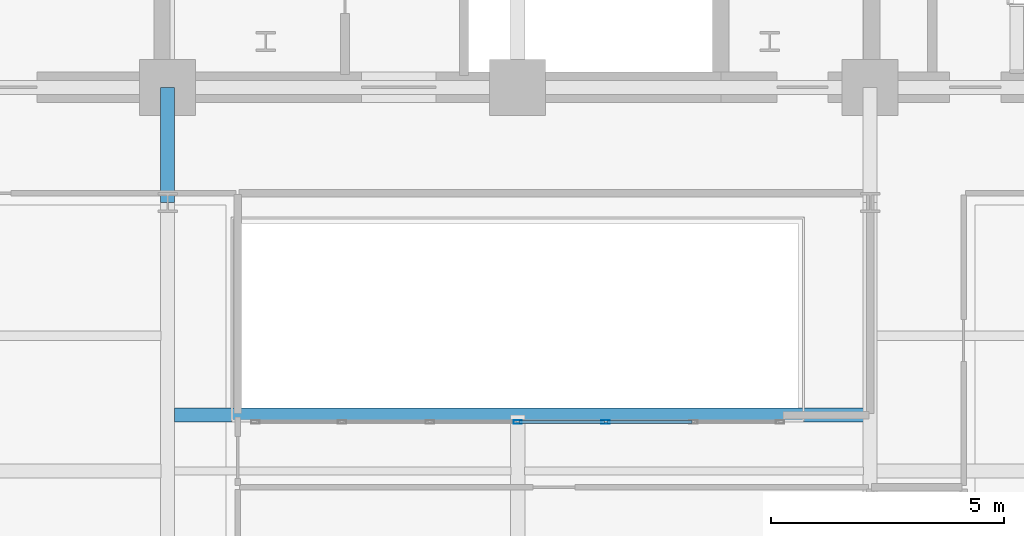
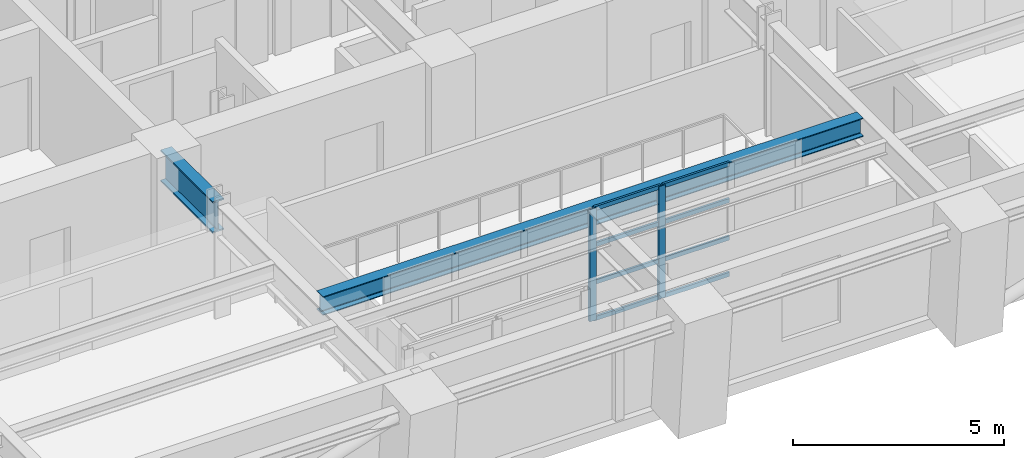
# One storey, part 3 of 15: 10 members, 2 beams, 1 element without a shape of its own.
"""IFC4 building model written with IfcOpenShell, lengths in metres."""

from ifc_helpers import new_model, si_unit, direction, frame, origin, origin_2d, place, context, subcontext, project, spatial, hollow_rectangle, i_section, extrude, material, layer, layer_set, material_profile, profile_set, type_object, element, aggregate, save


model = new_model("IFC4")

# Units and contexts
model_context = context("Model", 3, precision=1e-05, world=origin(), true_north=direction((0.0, 1.0)))
body_context = subcontext(model_context, "Body", "Model", "MODEL_VIEW")
ifc_project = project(units=[si_unit("LENGTHUNIT", "METRE"), si_unit("AREAUNIT", "SQUARE_METRE"), si_unit("VOLUMEUNIT", "CUBIC_METRE"), si_unit("PLANEANGLEUNIT", "RADIAN"), si_unit("MASSUNIT", "GRAM", prefix="KILO")], contexts=[model_context])

# Site, building, storey
site_placement = place(None, origin())
site = spatial("IfcSite", under=ifc_project, at=site_placement, CompositionType="ELEMENT")
building_placement = place(site_placement, origin())
building = spatial("IfcBuilding", under=site, at=building_placement, Name="Zarnavel Station Tower", CompositionType="ELEMENT")
storey_placement = place(building_placement, frame((0.0, 0.0, 111.800048828125)))
storey = spatial("IfcBuildingStorey", under=building, at=storey_placement, Name="L30", CompositionType="ELEMENT", Elevation=111.800048828125)

# Curtain wall, members
ifc_material_1 = material(Name="Aluminium Dark Anodised and Solar-Control Glass", Category="aluminium")
ifc_layer = layer(ifc_material_1, 0.179931640625)
ifc_layer_set = layer_set([ifc_layer], Name="CWS3")
curtain_wall_type = type_object("IfcCurtainWallType", Name="CWS3", PredefinedType="NOTDEFINED", material=ifc_layer_set)
curtain_wall_placement = place(storey_placement, origin())
curtain_wall = element("IfcCurtainWall", 1, at=curtain_wall_placement, inside=storey, type_object=curtain_wall_type, Name="L30 Curtain Wall CWS3-L30-AS", PredefinedType="NOTDEFINED")
ifc_material_2 = material(Name="Steel S355J2 (Black Fluoropolymer Coated)", Category="steel")
ifc_material_profile_1 = material_profile(ifc_material_2, hollow_rectangle(XDim=0.080078125, YDim=0.179931640625, WallThickness=0.00634765625, at=origin_2d()), Name="RHS180x80x6.3")
ifc_profile_set_1 = profile_set([ifc_material_profile_1], Name="Steel S355J2 (Black Fluoropolymer Coated)")
member_type_1 = type_object("IfcMemberType", Name="CWS3_MUL", PredefinedType="MULLION", material=ifc_profile_set_1)
member_1_placement = place(storey_placement, frame((28.800048828125, 20.64990234375, 0.0), z_axis=(0.0, 0.0, 1.0), x_axis=(0.0, 1.0, 0.0)))
member_1 = element("IfcMember", 2, at=member_1_placement, type_object=member_type_1, Name="CW3 mullion 4", PredefinedType="MULLION", context=body_context, shape_type="SweptSolid", body=[
    extrude(hollow_rectangle(XDim=0.080078125, YDim=0.179931640625, WallThickness=0.00634765625, at=origin_2d()), origin(), (0.0, 0.0, 1.0), 3.239990234375),
])
member_2_placement = place(storey_placement, frame((30.683349609375, 20.64990234375, 0.0), z_axis=(0.0, 0.0, 1.0), x_axis=(0.0, 1.0, 0.0)))
member_2 = element("IfcMember", 3, at=member_2_placement, type_object=member_type_1, Name="CW3 mullion 5", PredefinedType="MULLION", context=body_context, shape_type="SweptSolid", body=[
    extrude(hollow_rectangle(XDim=0.080078125, YDim=0.179931640625, WallThickness=0.00634765625, at=origin_2d()), origin(), (0.0, 0.0, 1.0), 3.239990234375),
])
ifc_material_3 = material(Name="Steel S355J2 (Black Fluoropolymer Coated)", Category="steel")
ifc_material_profile_2 = material_profile(ifc_material_3, hollow_rectangle(XDim=0.06005859375, YDim=0.1201171875, WallThickness=0.0048828125, at=origin_2d()), Name="RHS120x60x5")
ifc_profile_set_2 = profile_set([ifc_material_profile_2], Name="Steel S355J2 (Black Fluoropolymer Coated)")
member_type_2 = type_object("IfcMemberType", Name="CWS3_TRN", PredefinedType="USERDEFINED", material=ifc_profile_set_2)
member_3_placement = place(storey_placement, frame((28.830078125, 20.64990234375, 0.030029296875), z_axis=(1.0, 0.0, 0.0), x_axis=(0.0, 1.0, 0.0)))
member_3 = element("IfcMember", 4, at=member_3_placement, type_object=member_type_2, Name="CW3 transom 4.1", ObjectType="TRANSOM", PredefinedType="USERDEFINED", context=body_context, shape_type="SweptSolid", body=[
    extrude(hollow_rectangle(XDim=0.06005859375, YDim=0.1201171875, WallThickness=0.0048828125, at=origin_2d()), origin(), (0.0, 0.0, 1.0), 1.8232421875),
])
member_4_placement = place(storey_placement, frame((28.830078125, 20.64990234375, 1.079833984375), z_axis=(1.0, 0.0, 0.0), x_axis=(0.0, 1.0, 0.0)))
member_4 = element("IfcMember", 5, at=member_4_placement, type_object=member_type_2, Name="CW3 transom 4.2", ObjectType="TRANSOM", PredefinedType="USERDEFINED", context=body_context, shape_type="SweptSolid", body=[
    extrude(hollow_rectangle(XDim=0.06005859375, YDim=0.1201171875, WallThickness=0.0048828125, at=origin_2d()), origin(), (0.0, 0.0, 1.0), 1.8232421875),
])
member_5_placement = place(storey_placement, frame((28.830078125, 20.64990234375, 2.159912109375), z_axis=(1.0, 0.0, 0.0), x_axis=(0.0, 1.0, 0.0)))
member_5 = element("IfcMember", 6, at=member_5_placement, type_object=member_type_2, Name="CW3 transom 4.3", ObjectType="TRANSOM", PredefinedType="USERDEFINED", context=body_context, shape_type="SweptSolid", body=[
    extrude(hollow_rectangle(XDim=0.06005859375, YDim=0.1201171875, WallThickness=0.0048828125, at=origin_2d()), origin(), (0.0, 0.0, 1.0), 1.8232421875),
])
member_6_placement = place(storey_placement, frame((28.830078125, 20.64990234375, 3.2099609375), z_axis=(1.0, 0.0, 0.0), x_axis=(0.0, 1.0, 0.0)))
member_6 = element("IfcMember", 7, at=member_6_placement, type_object=member_type_2, Name="CW3 transom 4.4", ObjectType="TRANSOM", PredefinedType="USERDEFINED", context=body_context, shape_type="SweptSolid", body=[
    extrude(hollow_rectangle(XDim=0.06005859375, YDim=0.1201171875, WallThickness=0.0048828125, at=origin_2d()), origin(), (0.0, 0.0, 1.0), 1.8232421875),
])
member_7_placement = place(storey_placement, frame((30.71337890625, 20.64990234375, 0.030029296875), z_axis=(1.0, 0.0, 0.0), x_axis=(0.0, 1.0, 0.0)))
member_7 = element("IfcMember", 8, at=member_7_placement, type_object=member_type_2, Name="CW3 transom 5.1", ObjectType="TRANSOM", PredefinedType="USERDEFINED", context=body_context, shape_type="SweptSolid", body=[
    extrude(hollow_rectangle(XDim=0.06005859375, YDim=0.1201171875, WallThickness=0.0048828125, at=origin_2d()), origin(), (0.0, 0.0, 1.0), 1.8232421875),
])
member_8_placement = place(storey_placement, frame((30.71337890625, 20.64990234375, 1.079833984375), z_axis=(1.0, 0.0, 0.0), x_axis=(0.0, 1.0, 0.0)))
member_8 = element("IfcMember", 9, at=member_8_placement, type_object=member_type_2, Name="CW3 transom 5.2", ObjectType="TRANSOM", PredefinedType="USERDEFINED", context=body_context, shape_type="SweptSolid", body=[
    extrude(hollow_rectangle(XDim=0.06005859375, YDim=0.1201171875, WallThickness=0.0048828125, at=origin_2d()), origin(), (0.0, 0.0, 1.0), 1.8232421875),
])
member_9_placement = place(storey_placement, frame((30.71337890625, 20.64990234375, 2.159912109375), z_axis=(1.0, 0.0, 0.0), x_axis=(0.0, 1.0, 0.0)))
member_9 = element("IfcMember", 10, at=member_9_placement, type_object=member_type_2, Name="CW3 transom 5.3", ObjectType="TRANSOM", PredefinedType="USERDEFINED", context=body_context, shape_type="SweptSolid", body=[
    extrude(hollow_rectangle(XDim=0.06005859375, YDim=0.1201171875, WallThickness=0.0048828125, at=origin_2d()), origin(), (0.0, 0.0, 1.0), 1.8232421875),
])
member_10_placement = place(storey_placement, frame((30.71337890625, 20.64990234375, 3.2099609375), z_axis=(1.0, 0.0, 0.0), x_axis=(0.0, 1.0, 0.0)))
member_10 = element("IfcMember", 11, at=member_10_placement, type_object=member_type_2, Name="CW3 transom 5.4", ObjectType="TRANSOM", PredefinedType="USERDEFINED", context=body_context, shape_type="SweptSolid", body=[
    extrude(hollow_rectangle(XDim=0.06005859375, YDim=0.1201171875, WallThickness=0.0048828125, at=origin_2d()), origin(), (0.0, 0.0, 1.0), 1.8232421875),
])
aggregate(curtain_wall, [member_1, member_2, member_3, member_4, member_5, member_6, member_7, member_8, member_9, member_10])

# Beams
ifc_material_4 = material(Name="Steel S355J2", Category="steel")
ifc_material_profile_3 = material_profile(ifc_material_4, i_section(OverallWidth=0.300048828125, OverallDepth=0.5400390625, WebThickness=0.012451171875, FlangeThickness=0.02392578125, FilletRadius=0.027099609375, at=origin_2d()), Name="HEA550")
ifc_profile_set_3 = profile_set([ifc_material_profile_3], Name="Steel S355J2")
beam_type_1 = type_object("IfcBeamType", Name="FB_HEA550", PredefinedType="BEAM", material=ifc_profile_set_3)
beam_1_placement = place(storey_placement, frame((21.445068359375, 20.800048828125, 2.969970703125), z_axis=(1.0, 0.0, 0.0), x_axis=(0.0, 1.0, 0.0)))
element("IfcBeam", 12, at=beam_1_placement, inside=storey, type_object=beam_type_1, Name="L30 Atrium South Edge Girder", PredefinedType="BEAM", context=body_context, shape_type="SweptSolid", body=[
    extrude(i_section(OverallWidth=0.300048828125, OverallDepth=0.5400390625, WebThickness=0.012451171875, FlangeThickness=0.02392578125, FilletRadius=0.027099609375, at=origin_2d()), origin(), (0.0, 0.0, 1.0), 14.760009765625),
])
ifc_material_5 = material(Name="Steel S460M", Category="steel")
ifc_material_profile_4 = material_profile(ifc_material_5, i_section(OverallWidth=0.302001953125, OverallDepth=0.909912109375, WebThickness=0.02099609375, FlangeThickness=0.0400390625, FilletRadius=0.030029296875, at=origin_2d()), Name="HEM900")
ifc_profile_set_4 = profile_set([ifc_material_profile_4], Name="Steel S460M")
beam_type_2 = type_object("IfcBeamType", Name="TG_HEM900", PredefinedType="USERDEFINED", material=ifc_profile_set_4)
beam_2_placement = place(storey_placement, frame((21.300048828125, 25.35009765625, 2.784912109375), z_axis=(0.0, 1.0, 0.0), x_axis=(-1.0, 0.0, 0.0)))
element("IfcBeam", 13, at=beam_2_placement, inside=storey, type_object=beam_type_2, Name="L30 Inner-Zone NS Girder 2", ObjectType="GIRDER", PredefinedType="USERDEFINED", context=body_context, shape_type="SweptSolid", body=[
    extrude(i_section(OverallWidth=0.302001953125, OverallDepth=0.909912109375, WebThickness=0.02099609375, FlangeThickness=0.0400390625, FilletRadius=0.030029296875, at=origin_2d()), origin(), (0.0, 0.0, 1.0), 2.469970703125),
])

save(model, "model.ifc")
